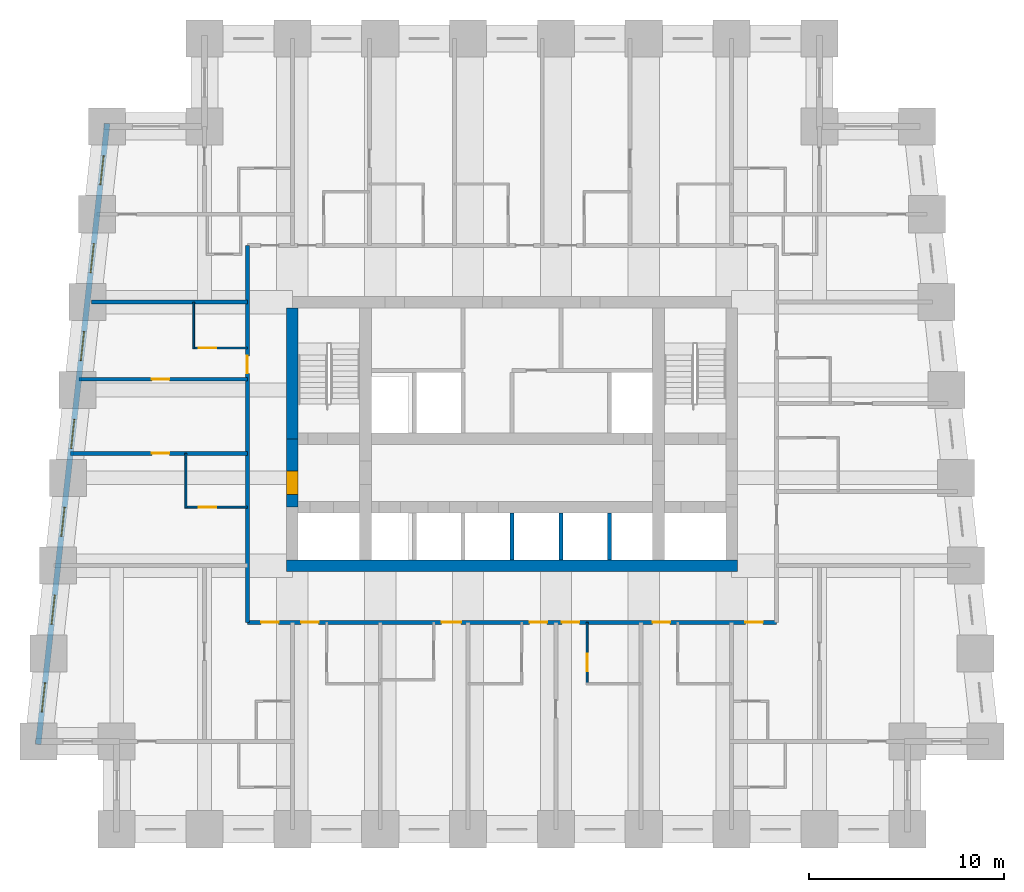
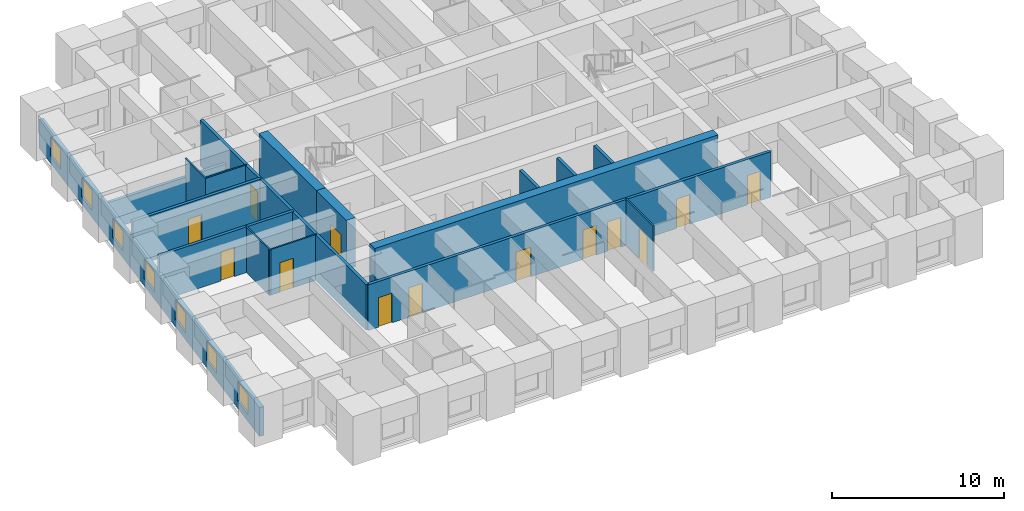
# One storey, part 3 of 8: 17 walls, 14 doors, 7 windows, 21 openings.
"""IFC4 building model written with IfcOpenShell, lengths in metres."""

from ifc_helpers import new_model, si_unit, direction, frame, frame_2d, origin, place, context, subcontext, project, spatial, rectangle, extrude, material, layer, layer_set, type_object, element, fill, save


model = new_model("IFC4")

# Units and contexts
model_context = context("Model", 3, precision=1e-05, world=origin(), true_north=direction((0.0, 1.0)))
body_context = subcontext(model_context, "Body", "Model", "MODEL_VIEW")
ifc_project = project(units=[si_unit("LENGTHUNIT", "METRE"), si_unit("AREAUNIT", "SQUARE_METRE"), si_unit("VOLUMEUNIT", "CUBIC_METRE"), si_unit("PLANEANGLEUNIT", "RADIAN"), si_unit("MASSUNIT", "GRAM", prefix="KILO")], contexts=[model_context])

# Site, building, storey
site_placement = place(None, origin())
site = spatial("IfcSite", under=ifc_project, at=site_placement, CompositionType="ELEMENT")
building_placement = place(site_placement, origin())
building = spatial("IfcBuilding", under=site, at=building_placement, Name="Kilele Tower Hotel", CompositionType="ELEMENT")
storey_placement = place(building_placement, frame((0.0, 0.0, 61.199951171875)))
storey = spatial("IfcBuildingStorey", under=building, at=storey_placement, Name="L14", CompositionType="ELEMENT", Elevation=61.199951171875)

# Wall, opening, door
ifc_material_1 = material(Name="Moisture-resistant board")
ifc_layer_1 = layer(ifc_material_1, 0.10009765625)
ifc_layer_set_1 = layer_set([ifc_layer_1], Name="Moisture-resistant board")
wall_type_1 = type_object("IfcWallType", Name="Bathroom partition 100", PredefinedType="PLUMBINGWALL", material=ifc_layer_set_1)
wall_1_placement = place(storey_placement, frame((28.60009765625, 10.60009765625, 0.0), z_axis=(0.0, 0.0, 1.0), x_axis=(0.0, -1.0, 0.0)))
wall_1 = element("IfcWall", 1, at=wall_1_placement, inside=storey, type_object=wall_type_1, Name="Bathroom partition 100 L14", PredefinedType="PLUMBINGWALL", context=body_context, shape_type="SweptSolid", body=[
    extrude(rectangle(XDim=3.2001953125, YDim=0.10009765625, at=frame_2d((1.60009765625, 0.0))), origin(), (0.0, 0.0, 1.0), 3.25),
])
opening_1_placement = place(wall_1_placement, frame((2.5, 0.0, 0.0), z_axis=(0.0, 0.0, 1.0), x_axis=(-1.0, 0.0, 0.0)))
opening_1 = element("IfcOpeningElement", 2, at=opening_1_placement, cuts=wall_1, Name="Opening D2A", PredefinedType="OPENING", context=body_context, shape_type="SweptSolid", body=[
    extrude(rectangle(XDim=0.89990234375, YDim=2.10009765625, at=frame_2d((0.449951171875, 1.050048828125))), frame((0.0, 0.06005859375, 0.0), z_axis=(0.0, -1.0, 0.0), x_axis=(1.0, 0.0, 0.0)), (0.0, 0.0, 1.0), 0.1201171875),
])
ifc_material_2 = material(Name="Timber door leaf in hardwood frame", Category="wood")
door_type_1 = type_object("IfcDoorType", Name="Bathroom door 900", OperationType="SINGLE_SWING_LEFT", PredefinedType="DOOR", material=ifc_material_2)
door_1_placement = place(opening_1_placement, origin())
door_1 = element("IfcDoor", 3, at=door_1_placement, inside=storey, type_object=door_type_1, Name="Bathroom door 1404B", OperationType="SINGLE_SWING_LEFT", OverallHeight=2.10009765625, OverallWidth=0.89990234375, PredefinedType="DOOR", context=body_context, shape_type="SweptSolid", body=[
    extrude(rectangle(XDim=0.89990234375, YDim=2.10009765625, at=frame_2d((0.449951171875, 1.050048828125))), frame((0.0, 0.02490234375, 0.0), z_axis=(0.0, -1.0, 0.0), x_axis=(1.0, 0.0, 0.0)), (0.0, 0.0, 1.0), 0.050048828125),
])
fill(opening_1, door_1)

# Wall
wall_2_placement = place(storey_placement, frame((8.050048828125, 16.449951171875, 0.0), z_axis=(0.0, 0.0, 1.0), x_axis=(0.0, 1.0, 0.0)))
element("IfcWall", 4, at=wall_2_placement, inside=storey, type_object=wall_type_1, Name="Bathroom partition 100 L14", PredefinedType="PLUMBINGWALL", context=body_context, shape_type="SweptSolid", body=[
    extrude(rectangle(XDim=2.800048828125, YDim=0.10009765625, at=frame_2d((1.39990234375, 0.0))), origin(), (0.0, 0.0, 1.0), 3.25),
])

# Wall, opening, door
wall_3_placement = place(storey_placement, frame((11.199951171875, 16.5, 0.0), z_axis=(0.0, 0.0, 1.0), x_axis=(-1.0, 0.0, 0.0)))
wall_3 = element("IfcWall", 5, at=wall_3_placement, inside=storey, type_object=wall_type_1, Name="Bathroom partition 100 L14", PredefinedType="PLUMBINGWALL", context=body_context, shape_type="SweptSolid", body=[
    extrude(rectangle(XDim=3.199951171875, YDim=0.10009765625, at=frame_2d((1.60009765625, 0.0))), origin(), (0.0, 0.0, 1.0), 3.25),
])
opening_2_placement = place(wall_3_placement, frame((1.60009765625, 0.0, 0.0)))
opening_2 = element("IfcOpeningElement", 6, at=opening_2_placement, cuts=wall_3, Name="Opening D2A", PredefinedType="OPENING", context=body_context, shape_type="SweptSolid", body=[
    extrude(rectangle(XDim=0.89990234375, YDim=2.10009765625, at=frame_2d((0.449951171875, 1.050048828125))), frame((0.0, 0.06005859375, 0.0), z_axis=(0.0, -1.0, 0.0), x_axis=(1.0, 0.0, 0.0)), (0.0, 0.0, 1.0), 0.1201171875),
])
door_2_placement = place(opening_2_placement, origin())
door_2 = element("IfcDoor", 7, at=door_2_placement, inside=storey, type_object=door_type_1, Name="Bathroom door 1414B", OperationType="SINGLE_SWING_RIGHT", OverallHeight=2.10009765625, OverallWidth=0.89990234375, PredefinedType="DOOR", context=body_context, shape_type="SweptSolid", body=[
    extrude(rectangle(XDim=0.89990234375, YDim=2.10009765625, at=frame_2d((0.449951171875, 1.050048828125))), frame((0.0, 0.02490234375, 0.0), z_axis=(0.0, -1.0, 0.0), x_axis=(1.0, 0.0, 0.0)), (0.0, 0.0, 1.0), 0.050048828125),
])
fill(opening_2, door_2)

# Wall
wall_4_placement = place(storey_placement, frame((8.449951171875, 24.60009765625, 0.0), z_axis=(0.0, 0.0, 1.0), x_axis=(0.0, 1.0, 0.0)))
element("IfcWall", 8, at=wall_4_placement, inside=storey, type_object=wall_type_1, Name="Bathroom partition 100 L14", PredefinedType="PLUMBINGWALL", context=body_context, shape_type="SweptSolid", body=[
    extrude(rectangle(XDim=2.39990234375, YDim=0.10009765625, at=frame_2d((1.199951171875, 0.0))), origin(), (0.0, 0.0, 1.0), 3.25),
])

# Wall, opening, door
wall_5_placement = place(storey_placement, frame((11.199951171875, 24.64990234375, 0.0), z_axis=(0.0, 0.0, 1.0), x_axis=(-1.0, 0.0, 0.0)))
wall_5 = element("IfcWall", 9, at=wall_5_placement, inside=storey, type_object=wall_type_1, Name="Bathroom partition 100 L14", PredefinedType="PLUMBINGWALL", context=body_context, shape_type="SweptSolid", body=[
    extrude(rectangle(XDim=2.800048828125, YDim=0.10009765625, at=frame_2d((1.39990234375, 0.0))), origin(), (0.0, 0.0, 1.0), 3.25),
])
opening_3_placement = place(wall_5_placement, frame((1.60009765625, 0.0, 0.0)))
opening_3 = element("IfcOpeningElement", 10, at=opening_3_placement, cuts=wall_5, Name="Opening D2A", PredefinedType="OPENING", context=body_context, shape_type="SweptSolid", body=[
    extrude(rectangle(XDim=0.89990234375, YDim=2.10009765625, at=frame_2d((0.449951171875, 1.050048828125))), frame((0.0, 0.06005859375, 0.0), z_axis=(0.0, -1.0, 0.0), x_axis=(1.0, 0.0, 0.0)), (0.0, 0.0, 1.0), 0.1201171875),
])
door_3_placement = place(opening_3_placement, origin())
door_3 = element("IfcDoor", 11, at=door_3_placement, inside=storey, type_object=door_type_1, Name="Bathroom door 1416B", OperationType="SINGLE_SWING_RIGHT", OverallHeight=2.10009765625, OverallWidth=0.89990234375, PredefinedType="DOOR", context=body_context, shape_type="SweptSolid", body=[
    extrude(rectangle(XDim=0.89990234375, YDim=2.10009765625, at=frame_2d((0.449951171875, 1.050048828125))), frame((0.0, 0.02490234375, 0.0), z_axis=(0.0, -1.0, 0.0), x_axis=(1.0, 0.0, 0.0)), (0.0, 0.0, 1.0), 0.050048828125),
])
fill(opening_3, door_3)

# Walls
ifc_material_3 = material(Name="Concrete C60/75", Category="concrete")
ifc_layer_2 = layer(ifc_material_3, 0.60009765625)
ifc_layer_set_2 = layer_set([ifc_layer_2], Name="Concrete C60/75")
wall_type_2 = type_object("IfcWallType", Name="Core wall 600 C60/75", PredefinedType="SHEAR", material=ifc_layer_set_2)
wall_6_placement = place(storey_placement, frame((13.199951171875, 13.5, 0.0), z_axis=(0.0, 0.0, 1.0), x_axis=(1.0, 0.0, 0.0)))
element("IfcWall", 12, at=wall_6_placement, inside=storey, type_object=wall_type_2, Name="Core wall S L14", PredefinedType="SHEAR", context=body_context, shape_type="SweptSolid", body=[
    extrude(rectangle(XDim=23.10009765625, YDim=0.60009765625, at=frame_2d((11.550048828125, 0.0))), origin(), (0.0, 0.0, 1.0), 3.5),
])
wall_7_placement = place(storey_placement, frame((13.5, 26.699951171875, 0.0), z_axis=(0.0, 0.0, 1.0), x_axis=(0.0, -1.0, 0.0)))
element("IfcWall", 13, at=wall_7_placement, inside=storey, type_object=wall_type_2, Name="Core wall W1 L14", PredefinedType="SHEAR", context=body_context, shape_type="SweptSolid", body=[
    extrude(rectangle(XDim=6.699951171875, YDim=0.60009765625, at=frame_2d((3.35009765625, 0.0))), origin(), (0.0, 0.0, 1.0), 3.5),
])

# Wall, opening, door
wall_8_placement = place(storey_placement, frame((13.5, 20.0, 0.0), z_axis=(0.0, 0.0, 1.0), x_axis=(0.0, -1.0, 0.0)))
wall_8 = element("IfcWall", 14, at=wall_8_placement, inside=storey, type_object=wall_type_2, Name="Core wall W2 L14", PredefinedType="SHEAR", context=body_context, shape_type="SweptSolid", body=[
    extrude(rectangle(XDim=3.5, YDim=0.60009765625, at=frame_2d((1.75, 0.0))), origin(), (0.0, 0.0, 1.0), 3.5),
])
opening_4_placement = place(wall_8_placement, frame((1.64990234375, 0.0, 0.0)))
opening_4 = element("IfcOpeningElement", 15, at=opening_4_placement, cuts=wall_8, Name="Opening D4", PredefinedType="OPENING", context=body_context, shape_type="SweptSolid", body=[
    extrude(rectangle(XDim=1.199951171875, YDim=2.10009765625, at=frame_2d((0.60009765625, 1.050048828125))), frame((0.0, 0.31005859375, 0.0), z_axis=(0.0, -1.0, 0.0), x_axis=(1.0, 0.0, 0.0)), (0.0, 0.0, 1.0), 0.6201171875),
])
ifc_material_4 = material(Name="Timber door leaf in hardwood frame", Category="wood")
door_type_2 = type_object("IfcDoorType", Name="Firefighting lobby door 1200", OperationType="SINGLE_SWING_LEFT", PredefinedType="DOOR", material=ifc_material_4)
door_4_placement = place(opening_4_placement, origin())
door_4 = element("IfcDoor", 16, at=door_4_placement, inside=storey, type_object=door_type_2, Name="Lobby door L14", OperationType="SINGLE_SWING_RIGHT", OverallHeight=2.10009765625, OverallWidth=1.199951171875, PredefinedType="DOOR", context=body_context, shape_type="SweptSolid", body=[
    extrude(rectangle(XDim=1.199951171875, YDim=2.10009765625, at=frame_2d((0.60009765625, 1.050048828125))), frame((0.0, 0.2998046875, 0.0), z_axis=(0.0, -1.0, 0.0), x_axis=(1.0, 0.0, 0.0)), (0.0, 0.0, 1.0), 0.599609375),
])
fill(opening_4, door_4)

# Wall, openings, doors
ifc_material_5 = material(Name="Blockwork, plastered both sides", Category="masonry")
ifc_layer_3 = layer(ifc_material_5, 0.199951171875)
ifc_layer_set_3 = layer_set([ifc_layer_3], Name="Blockwork, plastered both sides")
wall_type_3 = type_object("IfcWallType", Name="Corridor wall 200", PredefinedType="PARTITIONING", material=ifc_layer_set_3)
wall_9_placement = place(storey_placement, frame((11.199951171875, 10.60009765625, 0.0), z_axis=(0.0, 0.0, 1.0), x_axis=(1.0, 0.0, 0.0)))
wall_9 = element("IfcWall", 17, at=wall_9_placement, inside=storey, type_object=wall_type_3, Name="Corridor wall 200 L14", PredefinedType="PARTITIONING", context=body_context, shape_type="SweptSolid", body=[
    extrude(rectangle(XDim=27.10009765625, YDim=0.199951171875, at=frame_2d((13.550048828125, 0.0))), origin(), (0.0, 0.0, 1.0), 3.25),
])
opening_5_placement = place(wall_9_placement, frame((3.64990234375, 0.0, 0.0), z_axis=(0.0, 0.0, 1.0), x_axis=(-1.0, 0.0, 0.0)))
opening_5 = element("IfcOpeningElement", 18, at=opening_5_placement, cuts=wall_9, Name="Opening D1", PredefinedType="OPENING", context=body_context, shape_type="SweptSolid", body=[
    extrude(rectangle(XDim=0.89990234375, YDim=2.10009765625, at=frame_2d((0.449951171875, 1.050048828125))), frame((0.0, 0.10986328125, 0.0), z_axis=(0.0, -1.0, 0.0), x_axis=(1.0, 0.0, 0.0)), (0.0, 0.0, 1.0), 0.219970703125),
])
opening_6_placement = place(wall_9_placement, frame((10.949951171875, 0.0, 0.0), z_axis=(0.0, 0.0, 1.0), x_axis=(-1.0, 0.0, 0.0)))
opening_6 = element("IfcOpeningElement", 19, at=opening_6_placement, cuts=wall_9, Name="Opening D1A", PredefinedType="OPENING", context=body_context, shape_type="SweptSolid", body=[
    extrude(rectangle(XDim=1.0, YDim=2.10009765625, at=frame_2d((0.5, 1.050048828125))), frame((0.0, 0.10986328125, 0.0), z_axis=(0.0, -1.0, 0.0), x_axis=(1.0, 0.0, 0.0)), (0.0, 0.0, 1.0), 0.219970703125),
])
opening_7_placement = place(wall_9_placement, frame((15.349853515625, 0.0, 0.0), z_axis=(0.0, 0.0, 1.0), x_axis=(-1.0, 0.0, 0.0)))
opening_7 = element("IfcOpeningElement", 20, at=opening_7_placement, cuts=wall_9, Name="Opening D1", PredefinedType="OPENING", context=body_context, shape_type="SweptSolid", body=[
    extrude(rectangle(XDim=0.89990234375, YDim=2.10009765625, at=frame_2d((0.449951171875, 1.050048828125))), frame((0.0, 0.10986328125, 0.0), z_axis=(0.0, -1.0, 0.0), x_axis=(1.0, 0.0, 0.0)), (0.0, 0.0, 1.0), 0.219970703125),
])
opening_8_placement = place(wall_9_placement, frame((17.0, 0.0, 0.0), z_axis=(0.0, 0.0, 1.0), x_axis=(-1.0, 0.0, 0.0)))
opening_8 = element("IfcOpeningElement", 21, at=opening_8_placement, cuts=wall_9, Name="Opening D1", PredefinedType="OPENING", context=body_context, shape_type="SweptSolid", body=[
    extrude(rectangle(XDim=0.89990234375, YDim=2.10009765625, at=frame_2d((0.449951171875, 1.050048828125))), frame((0.0, 0.10986328125, 0.0), z_axis=(0.0, -1.0, 0.0), x_axis=(1.0, 0.0, 0.0)), (0.0, 0.0, 1.0), 0.219970703125),
])
opening_9_placement = place(wall_9_placement, frame((21.64990234375, 0.0, 0.0), z_axis=(0.0, 0.0, 1.0), x_axis=(-1.0, 0.0, 0.0)))
opening_9 = element("IfcOpeningElement", 22, at=opening_9_placement, cuts=wall_9, Name="Opening D1", PredefinedType="OPENING", context=body_context, shape_type="SweptSolid", body=[
    extrude(rectangle(XDim=0.89990234375, YDim=2.10009765625, at=frame_2d((0.449951171875, 1.050048828125))), frame((0.0, 0.10986328125, 0.0), z_axis=(0.0, -1.0, 0.0), x_axis=(1.0, 0.0, 0.0)), (0.0, 0.0, 1.0), 0.219970703125),
])
opening_10_placement = place(wall_9_placement, frame((1.599853515625, 0.0, 0.0), z_axis=(0.0, 0.0, 1.0), x_axis=(-1.0, 0.0, 0.0)))
opening_10 = element("IfcOpeningElement", 23, at=opening_10_placement, cuts=wall_9, Name="Opening D1", PredefinedType="OPENING", context=body_context, shape_type="SweptSolid", body=[
    extrude(rectangle(XDim=0.89990234375, YDim=2.10009765625, at=frame_2d((0.449951171875, 1.050048828125))), frame((0.0, 0.10986328125, 0.0), z_axis=(0.0, -1.0, 0.0), x_axis=(1.0, 0.0, 0.0)), (0.0, 0.0, 1.0), 0.219970703125),
])
opening_11_placement = place(wall_9_placement, frame((26.39990234375, 0.0, 0.0), z_axis=(0.0, 0.0, 1.0), x_axis=(-1.0, 0.0, 0.0)))
opening_11 = element("IfcOpeningElement", 24, at=opening_11_placement, cuts=wall_9, Name="Opening D1", PredefinedType="OPENING", context=body_context, shape_type="SweptSolid", body=[
    extrude(rectangle(XDim=0.89990234375, YDim=2.10009765625, at=frame_2d((0.449951171875, 1.050048828125))), frame((0.0, 0.10986328125, 0.0), z_axis=(0.0, -1.0, 0.0), x_axis=(1.0, 0.0, 0.0)), (0.0, 0.0, 1.0), 0.219970703125),
])
ifc_material_6 = material(Name="Timber door leaf in hardwood frame", Category="wood")
door_type_3 = type_object("IfcDoorType", Name="Guest room entrance door 1000", OperationType="SINGLE_SWING_LEFT", PredefinedType="DOOR", material=ifc_material_6)
door_5_placement = place(opening_6_placement, origin())
door_5 = element("IfcDoor", 25, at=door_5_placement, inside=storey, type_object=door_type_3, Name="Room entrance 1402", OperationType="SINGLE_SWING_RIGHT", OverallHeight=2.10009765625, OverallWidth=1.0, PredefinedType="DOOR", context=body_context, shape_type="SweptSolid", body=[
    extrude(rectangle(XDim=1.0, YDim=2.10009765625, at=frame_2d((0.5, 1.050048828125))), frame((0.0, 0.02490234375, 0.0), z_axis=(0.0, -1.0, 0.0), x_axis=(1.0, 0.0, 0.0)), (0.0, 0.0, 1.0), 0.050048828125),
])
fill(opening_6, door_5)
ifc_material_7 = material(Name="Timber door leaf in hardwood frame", Category="wood")
door_type_4 = type_object("IfcDoorType", Name="Guest room entrance door 900", OperationType="SINGLE_SWING_LEFT", PredefinedType="DOOR", material=ifc_material_7)
door_6_placement = place(opening_5_placement, origin())
door_6 = element("IfcDoor", 26, at=door_6_placement, inside=storey, type_object=door_type_4, Name="Room entrance 1401", OperationType="SINGLE_SWING_RIGHT", OverallHeight=2.10009765625, OverallWidth=0.89990234375, PredefinedType="DOOR", context=body_context, shape_type="SweptSolid", body=[
    extrude(rectangle(XDim=0.89990234375, YDim=2.10009765625, at=frame_2d((0.449951171875, 1.050048828125))), frame((0.0, 0.02490234375, 0.0), z_axis=(0.0, -1.0, 0.0), x_axis=(1.0, 0.0, 0.0)), (0.0, 0.0, 1.0), 0.050048828125),
])
fill(opening_5, door_6)
door_7_placement = place(opening_7_placement, origin())
door_7 = element("IfcDoor", 27, at=door_7_placement, inside=storey, type_object=door_type_4, Name="Room entrance 1403", OperationType="SINGLE_SWING_LEFT", OverallHeight=2.10009765625, OverallWidth=0.89990234375, PredefinedType="DOOR", context=body_context, shape_type="SweptSolid", body=[
    extrude(rectangle(XDim=0.89990234375, YDim=2.10009765625, at=frame_2d((0.449951171875, 1.050048828125))), frame((0.0, 0.02490234375, 0.0), z_axis=(0.0, -1.0, 0.0), x_axis=(1.0, 0.0, 0.0)), (0.0, 0.0, 1.0), 0.050048828125),
])
fill(opening_7, door_7)
door_8_placement = place(opening_8_placement, origin())
door_8 = element("IfcDoor", 28, at=door_8_placement, inside=storey, type_object=door_type_4, Name="Room entrance 1404", OperationType="SINGLE_SWING_RIGHT", OverallHeight=2.10009765625, OverallWidth=0.89990234375, PredefinedType="DOOR", context=body_context, shape_type="SweptSolid", body=[
    extrude(rectangle(XDim=0.89990234375, YDim=2.10009765625, at=frame_2d((0.449951171875, 1.050048828125))), frame((0.0, 0.02490234375, 0.0), z_axis=(0.0, -1.0, 0.0), x_axis=(1.0, 0.0, 0.0)), (0.0, 0.0, 1.0), 0.050048828125),
])
fill(opening_8, door_8)
door_9_placement = place(opening_9_placement, origin())
door_9 = element("IfcDoor", 29, at=door_9_placement, inside=storey, type_object=door_type_4, Name="Room entrance 1405", OperationType="SINGLE_SWING_LEFT", OverallHeight=2.10009765625, OverallWidth=0.89990234375, PredefinedType="DOOR", context=body_context, shape_type="SweptSolid", body=[
    extrude(rectangle(XDim=0.89990234375, YDim=2.10009765625, at=frame_2d((0.449951171875, 1.050048828125))), frame((0.0, 0.02490234375, 0.0), z_axis=(0.0, -1.0, 0.0), x_axis=(1.0, 0.0, 0.0)), (0.0, 0.0, 1.0), 0.050048828125),
])
fill(opening_9, door_9)
door_10_placement = place(opening_10_placement, origin())
door_10 = element("IfcDoor", 30, at=door_10_placement, inside=storey, type_object=door_type_4, Name="Room entrance 1417", OperationType="SINGLE_SWING_LEFT", OverallHeight=2.10009765625, OverallWidth=0.89990234375, PredefinedType="DOOR", context=body_context, shape_type="SweptSolid", body=[
    extrude(rectangle(XDim=0.89990234375, YDim=2.10009765625, at=frame_2d((0.449951171875, 1.050048828125))), frame((0.0, 0.02490234375, 0.0), z_axis=(0.0, -1.0, 0.0), x_axis=(1.0, 0.0, 0.0)), (0.0, 0.0, 1.0), 0.050048828125),
])
fill(opening_10, door_10)
door_11_placement = place(opening_11_placement, origin())
door_11 = element("IfcDoor", 31, at=door_11_placement, inside=storey, type_object=door_type_4, Name="Room entrance 1420", OperationType="SINGLE_SWING_RIGHT", OverallHeight=2.10009765625, OverallWidth=0.89990234375, PredefinedType="DOOR", context=body_context, shape_type="SweptSolid", body=[
    extrude(rectangle(XDim=0.89990234375, YDim=2.10009765625, at=frame_2d((0.449951171875, 1.050048828125))), frame((0.0, 0.02490234375, 0.0), z_axis=(0.0, -1.0, 0.0), x_axis=(1.0, 0.0, 0.0)), (0.0, 0.0, 1.0), 0.050048828125),
])
fill(opening_11, door_11)

# Wall, opening, door
wall_10_placement = place(storey_placement, frame((11.199951171875, 10.60009765625, 0.0), z_axis=(0.0, 0.0, 1.0), x_axis=(0.0, 1.0, 0.0)))
wall_10 = element("IfcWall", 32, at=wall_10_placement, inside=storey, type_object=wall_type_3, Name="Corridor wall 200 L14", PredefinedType="PARTITIONING", context=body_context, shape_type="SweptSolid", body=[
    extrude(rectangle(XDim=19.2998046875, YDim=0.199951171875, at=frame_2d((9.64990234375, 0.0))), origin(), (0.0, 0.0, 1.0), 3.25),
])
opening_12_placement = place(wall_10_placement, frame((12.75, 0.0, 0.0)))
opening_12 = element("IfcOpeningElement", 33, at=opening_12_placement, cuts=wall_10, Name="Opening D1", PredefinedType="OPENING", context=body_context, shape_type="SweptSolid", body=[
    extrude(rectangle(XDim=0.89990234375, YDim=2.10009765625, at=frame_2d((0.449951171875, 1.050048828125))), frame((0.0, 0.10986328125, 0.0), z_axis=(0.0, -1.0, 0.0), x_axis=(1.0, 0.0, 0.0)), (0.0, 0.0, 1.0), 0.219970703125),
])
door_12_placement = place(opening_12_placement, origin())
door_12 = element("IfcDoor", 34, at=door_12_placement, inside=storey, type_object=door_type_4, Name="Room entrance 1416", OperationType="SINGLE_SWING_LEFT", OverallHeight=2.10009765625, OverallWidth=0.89990234375, PredefinedType="DOOR", context=body_context, shape_type="SweptSolid", body=[
    extrude(rectangle(XDim=0.89990234375, YDim=2.10009765625, at=frame_2d((0.449951171875, 1.050048828125))), frame((0.0, 0.02490234375, 0.0), z_axis=(0.0, -1.0, 0.0), x_axis=(1.0, 0.0, 0.0)), (0.0, 0.0, 1.0), 0.050048828125),
])
fill(opening_12, door_12)

ifc_material_8 = material(Name="Blockwork, plastered both sides", Category="masonry")
ifc_layer_4 = layer(ifc_material_8, 0.199951171875)
ifc_layer_set_4 = layer_set([ifc_layer_4], Name="Blockwork, plastered both sides")
wall_type_4 = type_object("IfcWallType", Name="Party wall 200", PredefinedType="PARTITIONING", material=ifc_layer_set_4)
wall_11_placement = place(storey_placement, frame((11.199951171875, 19.25, 0.0), z_axis=(0.0, 0.0, 1.0), x_axis=(-1.0, 0.0, 0.0)))
wall_11 = element("IfcWall", 35, at=wall_11_placement, inside=storey, type_object=wall_type_4, Name="Party wall 200 L14", PredefinedType="PARTITIONING", context=body_context, shape_type="SweptSolid", body=[
    extrude(rectangle(XDim=9.06005859375, YDim=0.199951171875, at=frame_2d((4.530029296875, 0.0))), origin(), (0.0, 0.0, 1.0), 3.25),
])
opening_13_placement = place(wall_11_placement, frame((4.0, 0.0, 0.0)))
opening_13 = element("IfcOpeningElement", 36, at=opening_13_placement, cuts=wall_11, Name="Opening D3", PredefinedType="OPENING", context=body_context, shape_type="SweptSolid", body=[
    extrude(rectangle(XDim=0.89990234375, YDim=2.10009765625, at=frame_2d((0.449951171875, 1.050048828125))), frame((0.0, 0.10986328125, 0.0), z_axis=(0.0, -1.0, 0.0), x_axis=(1.0, 0.0, 0.0)), (0.0, 0.0, 1.0), 0.219970703125),
])
ifc_material_9 = material(Name="Timber door leaf in hardwood frame", Category="wood")
door_type_5 = type_object("IfcDoorType", Name="Suite internal door 900", OperationType="SINGLE_SWING_LEFT", PredefinedType="DOOR", material=ifc_material_9)
door_13_placement = place(opening_13_placement, origin())
door_13 = element("IfcDoor", 37, at=door_13_placement, inside=storey, type_object=door_type_5, Name="Suite door 1415", OperationType="SINGLE_SWING_LEFT", OverallHeight=2.10009765625, OverallWidth=0.89990234375, PredefinedType="DOOR", context=body_context, shape_type="SweptSolid", body=[
    extrude(rectangle(XDim=0.89990234375, YDim=2.10009765625, at=frame_2d((0.449951171875, 1.050048828125))), frame((0.0, 0.02490234375, 0.0), z_axis=(0.0, -1.0, 0.0), x_axis=(1.0, 0.0, 0.0)), (0.0, 0.0, 1.0), 0.050048828125),
])
fill(opening_13, door_13)

wall_12_placement = place(storey_placement, frame((11.199951171875, 23.050048828125, 0.0), z_axis=(0.0, 0.0, 1.0), x_axis=(-1.0, 0.0, 0.0)))
wall_12 = element("IfcWall", 38, at=wall_12_placement, inside=storey, type_object=wall_type_4, Name="Party wall 200 L14", PredefinedType="PARTITIONING", context=body_context, shape_type="SweptSolid", body=[
    extrude(rectangle(XDim=8.637939453125, YDim=0.199951171875, at=frame_2d((4.31884765625, 0.0))), origin(), (0.0, 0.0, 1.0), 3.25),
])
opening_14_placement = place(wall_12_placement, frame((4.0, 0.0, 0.0)))
opening_14 = element("IfcOpeningElement", 39, at=opening_14_placement, cuts=wall_12, Name="Opening D3", PredefinedType="OPENING", context=body_context, shape_type="SweptSolid", body=[
    extrude(rectangle(XDim=0.89990234375, YDim=2.10009765625, at=frame_2d((0.449951171875, 1.050048828125))), frame((0.0, 0.10986328125, 0.0), z_axis=(0.0, -1.0, 0.0), x_axis=(1.0, 0.0, 0.0)), (0.0, 0.0, 1.0), 0.219970703125),
])
door_14_placement = place(opening_14_placement, origin())
door_14 = element("IfcDoor", 40, at=door_14_placement, inside=storey, type_object=door_type_5, Name="Suite door 1416", OperationType="SINGLE_SWING_RIGHT", OverallHeight=2.10009765625, OverallWidth=0.89990234375, PredefinedType="DOOR", context=body_context, shape_type="SweptSolid", body=[
    extrude(rectangle(XDim=0.89990234375, YDim=2.10009765625, at=frame_2d((0.449951171875, 1.050048828125))), frame((0.0, 0.02490234375, 0.0), z_axis=(0.0, -1.0, 0.0), x_axis=(1.0, 0.0, 0.0)), (0.0, 0.0, 1.0), 0.050048828125),
])
fill(opening_14, door_14)

# Wall
wall_13_placement = place(storey_placement, frame((11.199951171875, 27.0, 0.0), z_axis=(0.0, 0.0, 1.0), x_axis=(-1.0, 0.0, 0.0)))
element("IfcWall", 41, at=wall_13_placement, inside=storey, type_object=wall_type_4, Name="Party wall 200 L14", PredefinedType="PARTITIONING", context=body_context, shape_type="SweptSolid", body=[
    extrude(rectangle(XDim=7.976806640625, YDim=0.199951171875, at=frame_2d((3.98828125, 0.0))), origin(), (0.0, 0.0, 1.0), 1.949951171875),
])

# Wall, openings, windows
ifc_material_10 = material(Name="Concrete C40/50 precast", Category="concrete")
ifc_layer_5 = layer(ifc_material_10, 0.260009765625, Name="Precast backing", Category="LoadBearing")
ifc_material_11 = material(Name="Reconstituted stone finish", Category="masonry")
ifc_layer_6 = layer(ifc_material_11, 0.0400390625, Name="Face mix", Category="Finish")
ifc_layer_set_5 = layer_set([ifc_layer_5, ifc_layer_6], Name="Precast concrete C40/50, reconstituted stone finish")
wall_type_5 = type_object("IfcWallType", Name="Precast stone facade wall 300", PredefinedType="STANDARD", material=ifc_layer_set_5)
wall_14_placement = place(storey_placement, frame((4.0166015625, 36.149169921875, 0.0), z_axis=(0.0, 0.0, 1.0), x_axis=(-0.110433201132, -0.993883548555, 0.0)))
wall_14 = element("IfcWall", 42, at=wall_14_placement, inside=storey, type_object=wall_type_5, Name="Facade wall L14 edge 12", PredefinedType="STANDARD", context=body_context, shape_type="SweptSolid", body=[
    extrude(rectangle(XDim=31.994140625, YDim=0.300048828125, at=frame_2d((15.9970703125, 0.0))), origin(), (0.0, 0.0, 1.0), 2.050048828125),
])
opening_15_placement = place(wall_14_placement, frame((1.6640625, 0.0, 0.5)))
opening_15 = element("IfcOpeningElement", 43, at=opening_15_placement, cuts=wall_14, Name="Opening W1", PredefinedType="OPENING", context=body_context, shape_type="SweptSolid", body=[
    extrude(rectangle(XDim=1.5, YDim=1.39990234375, at=frame_2d((0.75, 0.699951171875))), frame((0.0, 0.159912109375, 0.0), z_axis=(0.0, -1.0, 0.0), x_axis=(1.0, 0.0, 0.0)), (0.0, 0.0, 1.0), 0.320068359375),
])
opening_16_placement = place(wall_14_placement, frame((6.19189453125, 0.0, 0.5)))
opening_16 = element("IfcOpeningElement", 44, at=opening_16_placement, cuts=wall_14, Name="Opening W1", PredefinedType="OPENING", context=body_context, shape_type="SweptSolid", body=[
    extrude(rectangle(XDim=1.5, YDim=1.39990234375, at=frame_2d((0.75, 0.699951171875))), frame((0.0, 0.159912109375, 0.0), z_axis=(0.0, -1.0, 0.0), x_axis=(1.0, 0.0, 0.0)), (0.0, 0.0, 1.0), 0.320068359375),
])
opening_17_placement = place(wall_14_placement, frame((10.718994140625, 0.0, 0.5)))
opening_17 = element("IfcOpeningElement", 45, at=opening_17_placement, cuts=wall_14, Name="Opening W1", PredefinedType="OPENING", context=body_context, shape_type="SweptSolid", body=[
    extrude(rectangle(XDim=1.5, YDim=1.39990234375, at=frame_2d((0.75, 0.699951171875))), frame((0.0, 0.159912109375, 0.0), z_axis=(0.0, -1.0, 0.0), x_axis=(1.0, 0.0, 0.0)), (0.0, 0.0, 1.0), 0.320068359375),
])
opening_18_placement = place(wall_14_placement, frame((15.2470703125, 0.0, 0.5)))
opening_18 = element("IfcOpeningElement", 46, at=opening_18_placement, cuts=wall_14, Name="Opening W1", PredefinedType="OPENING", context=body_context, shape_type="SweptSolid", body=[
    extrude(rectangle(XDim=1.5, YDim=1.39990234375, at=frame_2d((0.75, 0.699951171875))), frame((0.0, 0.159912109375, 0.0), z_axis=(0.0, -1.0, 0.0), x_axis=(1.0, 0.0, 0.0)), (0.0, 0.0, 1.0), 0.320068359375),
])
opening_19_placement = place(wall_14_placement, frame((19.77490234375, 0.0, 0.5)))
opening_19 = element("IfcOpeningElement", 47, at=opening_19_placement, cuts=wall_14, Name="Opening W1", PredefinedType="OPENING", context=body_context, shape_type="SweptSolid", body=[
    extrude(rectangle(XDim=1.5, YDim=1.39990234375, at=frame_2d((0.75, 0.699951171875))), frame((0.0, 0.159912109375, 0.0), z_axis=(0.0, -1.0, 0.0), x_axis=(1.0, 0.0, 0.0)), (0.0, 0.0, 1.0), 0.320068359375),
])
opening_20_placement = place(wall_14_placement, frame((24.302001953125, 0.0, 0.5)))
opening_20 = element("IfcOpeningElement", 48, at=opening_20_placement, cuts=wall_14, Name="Opening W1", PredefinedType="OPENING", context=body_context, shape_type="SweptSolid", body=[
    extrude(rectangle(XDim=1.5, YDim=1.39990234375, at=frame_2d((0.75, 0.699951171875))), frame((0.0, 0.159912109375, 0.0), z_axis=(0.0, -1.0, 0.0), x_axis=(1.0, 0.0, 0.0)), (0.0, 0.0, 1.0), 0.320068359375),
])
opening_21_placement = place(wall_14_placement, frame((28.830078125, 0.0, 0.5)))
opening_21 = element("IfcOpeningElement", 49, at=opening_21_placement, cuts=wall_14, Name="Opening W1", PredefinedType="OPENING", context=body_context, shape_type="SweptSolid", body=[
    extrude(rectangle(XDim=1.5, YDim=1.39990234375, at=frame_2d((0.75, 0.699951171875))), frame((0.0, 0.159912109375, 0.0), z_axis=(0.0, -1.0, 0.0), x_axis=(1.0, 0.0, 0.0)), (0.0, 0.0, 1.0), 0.320068359375),
])
ifc_material_12 = material(Name="Aluminium frame, clear double glazing", Category="aluminium")
window_type = type_object("IfcWindowType", Name="Window W1 1500 x 1400", PartitioningType="SINGLE_PANEL", PredefinedType="WINDOW", material=ifc_material_12)
window_1_placement = place(opening_15_placement, origin())
window_1 = element("IfcWindow", 50, at=window_1_placement, inside=storey, type_object=window_type, Name="Window L14", OverallHeight=1.39990234375, OverallWidth=1.5, PartitioningType="SINGLE_PANEL", PredefinedType="WINDOW", context=body_context, shape_type="SweptSolid", body=[
    extrude(rectangle(XDim=1.5, YDim=1.39990234375, at=frame_2d((0.75, 0.699951171875))), frame((0.0, 0.030029296875, 0.0), z_axis=(0.0, -1.0, 0.0), x_axis=(1.0, 0.0, 0.0)), (0.0, 0.0, 1.0), 0.06005859375),
])
fill(opening_15, window_1)
window_2_placement = place(opening_16_placement, origin())
window_2 = element("IfcWindow", 51, at=window_2_placement, inside=storey, type_object=window_type, Name="Window L14", OverallHeight=1.39990234375, OverallWidth=1.5, PartitioningType="SINGLE_PANEL", PredefinedType="WINDOW", context=body_context, shape_type="SweptSolid", body=[
    extrude(rectangle(XDim=1.5, YDim=1.39990234375, at=frame_2d((0.75, 0.699951171875))), frame((0.0, 0.030029296875, 0.0), z_axis=(0.0, -1.0, 0.0), x_axis=(1.0, 0.0, 0.0)), (0.0, 0.0, 1.0), 0.06005859375),
])
fill(opening_16, window_2)
window_3_placement = place(opening_17_placement, origin())
window_3 = element("IfcWindow", 52, at=window_3_placement, inside=storey, type_object=window_type, Name="Window L14", OverallHeight=1.39990234375, OverallWidth=1.5, PartitioningType="SINGLE_PANEL", PredefinedType="WINDOW", context=body_context, shape_type="SweptSolid", body=[
    extrude(rectangle(XDim=1.5, YDim=1.39990234375, at=frame_2d((0.75, 0.699951171875))), frame((0.0, 0.030029296875, 0.0), z_axis=(0.0, -1.0, 0.0), x_axis=(1.0, 0.0, 0.0)), (0.0, 0.0, 1.0), 0.06005859375),
])
fill(opening_17, window_3)
window_4_placement = place(opening_18_placement, origin())
window_4 = element("IfcWindow", 53, at=window_4_placement, inside=storey, type_object=window_type, Name="Window L14", OverallHeight=1.39990234375, OverallWidth=1.5, PartitioningType="SINGLE_PANEL", PredefinedType="WINDOW", context=body_context, shape_type="SweptSolid", body=[
    extrude(rectangle(XDim=1.5, YDim=1.39990234375, at=frame_2d((0.75, 0.699951171875))), frame((0.0, 0.030029296875, 0.0), z_axis=(0.0, -1.0, 0.0), x_axis=(1.0, 0.0, 0.0)), (0.0, 0.0, 1.0), 0.06005859375),
])
fill(opening_18, window_4)
window_5_placement = place(opening_19_placement, origin())
window_5 = element("IfcWindow", 54, at=window_5_placement, inside=storey, type_object=window_type, Name="Window L14", OverallHeight=1.39990234375, OverallWidth=1.5, PartitioningType="SINGLE_PANEL", PredefinedType="WINDOW", context=body_context, shape_type="SweptSolid", body=[
    extrude(rectangle(XDim=1.5, YDim=1.39990234375, at=frame_2d((0.75, 0.699951171875))), frame((0.0, 0.030029296875, 0.0), z_axis=(0.0, -1.0, 0.0), x_axis=(1.0, 0.0, 0.0)), (0.0, 0.0, 1.0), 0.06005859375),
])
fill(opening_19, window_5)
window_6_placement = place(opening_20_placement, origin())
window_6 = element("IfcWindow", 55, at=window_6_placement, inside=storey, type_object=window_type, Name="Window L14", OverallHeight=1.39990234375, OverallWidth=1.5, PartitioningType="SINGLE_PANEL", PredefinedType="WINDOW", context=body_context, shape_type="SweptSolid", body=[
    extrude(rectangle(XDim=1.5, YDim=1.39990234375, at=frame_2d((0.75, 0.699951171875))), frame((0.0, 0.030029296875, 0.0), z_axis=(0.0, -1.0, 0.0), x_axis=(1.0, 0.0, 0.0)), (0.0, 0.0, 1.0), 0.06005859375),
])
fill(opening_20, window_6)
window_7_placement = place(opening_21_placement, origin())
window_7 = element("IfcWindow", 56, at=window_7_placement, inside=storey, type_object=window_type, Name="Window L14", OverallHeight=1.39990234375, OverallWidth=1.5, PartitioningType="SINGLE_PANEL", PredefinedType="WINDOW", context=body_context, shape_type="SweptSolid", body=[
    extrude(rectangle(XDim=1.5, YDim=1.39990234375, at=frame_2d((0.75, 0.699951171875))), frame((0.0, 0.030029296875, 0.0), z_axis=(0.0, -1.0, 0.0), x_axis=(1.0, 0.0, 0.0)), (0.0, 0.0, 1.0), 0.06005859375),
])
fill(opening_21, window_7)

# Walls
ifc_material_13 = material(Name="Blockwork, fire-rated", Category="masonry")
ifc_layer_7 = layer(ifc_material_13, 0.199951171875)
ifc_layer_set_6 = layer_set([ifc_layer_7], Name="Blockwork, fire-rated")
wall_type_6 = type_object("IfcWallType", Name="Shaft wall 200", PredefinedType="PARTITIONING", material=ifc_layer_set_6)
for number, where, z_axis, x_axis, name in (
    (57, (24.75, 13.800048828125, 0.0), (0.0, 0.0, 1.0), (0.0, 1.0, 0.0), "Shaft wall 200 L14"),
    (58, (27.25, 13.800048828125, 0.0), (0.0, 0.0, 1.0), (0.0, 1.0, 0.0), "Shaft wall 200 L14"),
    (59, (29.75, 13.800048828125, 0.0), (0.0, 0.0, 1.0), (0.0, 1.0, 0.0), "Shaft wall 200 L14"),
):
    element("IfcWall", number, at=place(storey_placement, frame(where, z_axis=z_axis, x_axis=x_axis)), inside=storey, type_object=wall_type_6, Name=name, PredefinedType="PARTITIONING", context=body_context, shape_type="SweptSolid", body=[
        extrude(rectangle(XDim=2.39990234375, YDim=0.199951171875, at=frame_2d((1.199951171875, 0.0))), origin(), (0.0, 0.0, 1.0), 3.25),
    ])

save(model, "model.ifc")
